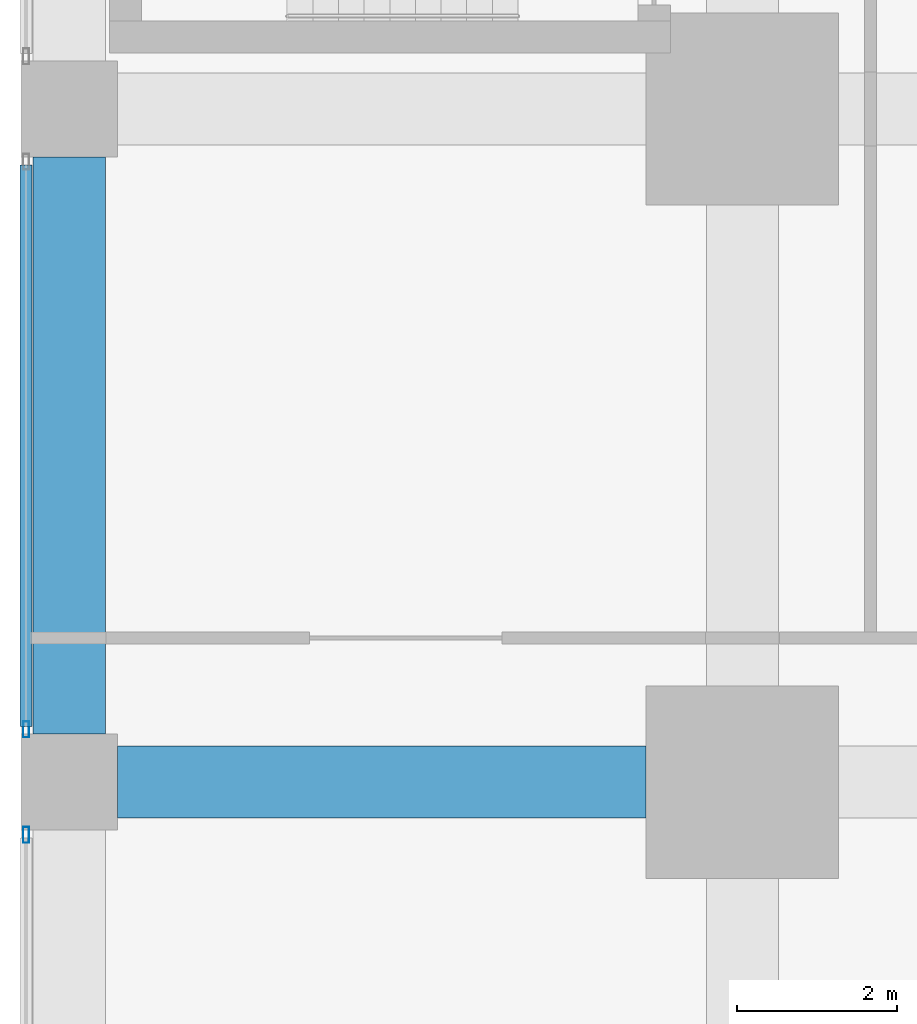
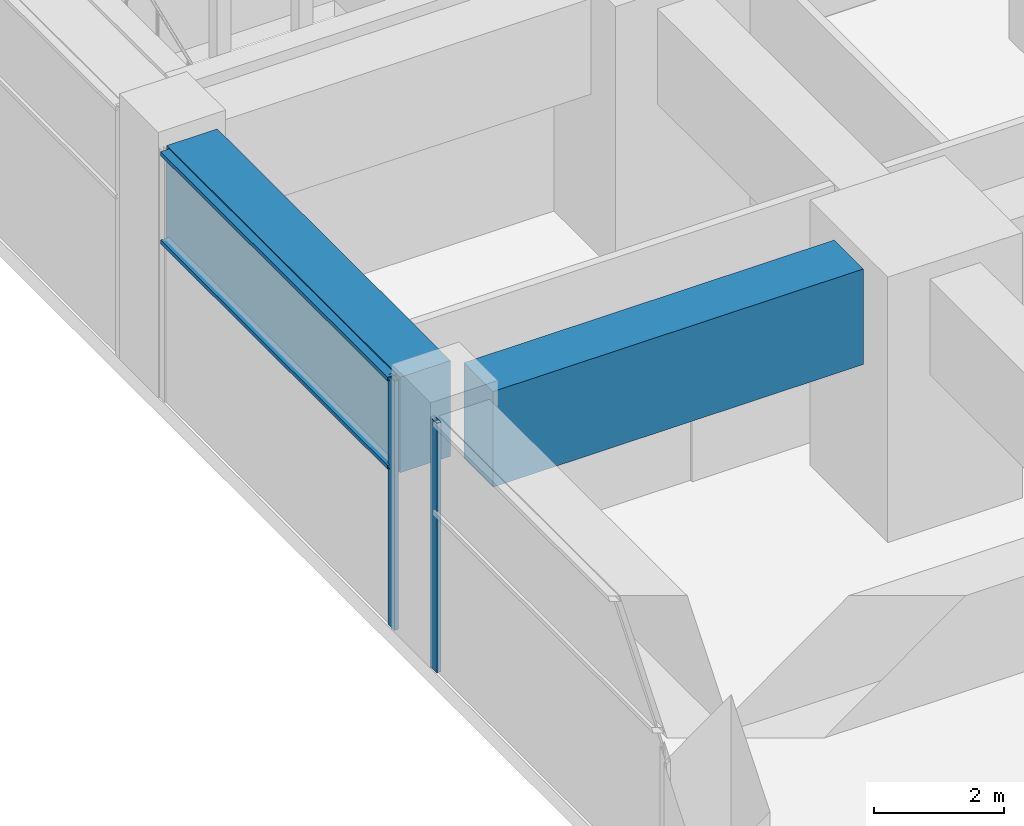
# One storey, part 9 of 49: 4 members, 2 beams, 2 elements without a shape of their own.
"""IFC4 building model written with IfcOpenShell, lengths in metres."""

from ifc_helpers import new_model, si_unit, direction, frame, origin, origin_2d, place, context, subcontext, project, spatial, rectangle, hollow_rectangle, extrude, material, material_profile, profile_set, type_object, element, aggregate, save


model = new_model("IFC4")

# Units and contexts
model_context = context("Model", 3, precision=1e-05, world=origin(), true_north=direction((0.0, 1.0)))
body_context = subcontext(model_context, "Body", "Model", "MODEL_VIEW")
ifc_project = project(units=[si_unit("LENGTHUNIT", "METRE"), si_unit("AREAUNIT", "SQUARE_METRE"), si_unit("VOLUMEUNIT", "CUBIC_METRE"), si_unit("PLANEANGLEUNIT", "RADIAN"), si_unit("MASSUNIT", "GRAM", prefix="KILO")], contexts=[model_context])

# Site, building, storey
site_placement = place(None, origin())
site = spatial("IfcSite", under=ifc_project, at=site_placement, CompositionType="ELEMENT")
building_placement = place(site_placement, origin())
building = spatial("IfcBuilding", under=site, at=building_placement, Name="Rekha Terrace Tower", CompositionType="ELEMENT")
storey_placement = place(building_placement, frame((0.0, 0.0, 10.39990234375)))
storey = spatial("IfcBuildingStorey", under=building, at=storey_placement, Name="L02", CompositionType="ELEMENT", Elevation=10.39990234375)

# Curtain wall, member
ifc_material_1 = material(Name="Aluminium framing", Category="aluminium")
curtain_wall_type = type_object("IfcCurtainWallType", Name="CW4 podium shopfront glazing", PredefinedType="USERDEFINED", material=ifc_material_1)
curtain_wall_1_placement = place(storey_placement, origin())
curtain_wall_1 = element("IfcCurtainWall", 1, at=curtain_wall_1_placement, inside=storey, type_object=curtain_wall_type, Name="CW4 shopfront curtain wall", ObjectType="SHOPFRONT CURTAIN WALL", PredefinedType="USERDEFINED")
ifc_material_2 = material(Name="Aluminium mullion section", Category="aluminium")
ifc_material_profile_1 = material_profile(ifc_material_2, hollow_rectangle(XDim=0.074951171875, YDim=0.199951171875, WallThickness=0.00390625, at=origin_2d()), Name="AL RHS 75x200")
ifc_profile_set_1 = profile_set([ifc_material_profile_1], Name="Aluminium mullion section")
member_type_1 = type_object("IfcMemberType", Name="CW4 mullion RHS 75 x 200", PredefinedType="MULLION", material=ifc_profile_set_1)
member_1_placement = place(storey_placement, frame((-0.5400390625, 17.45751953125, 0.0), z_axis=(0.0, 0.0, 1.0), x_axis=(1.0, 0.0, 0.0)))
member_1 = element("IfcMember", 2, at=member_1_placement, type_object=member_type_1, Name="CW4 mullion 2", PredefinedType="MULLION", context=body_context, shape_type="SweptSolid", body=[
    extrude(hollow_rectangle(XDim=0.074951171875, YDim=0.199951171875, WallThickness=0.00390625, at=origin_2d()), origin(), (0.0, 0.0, 1.0), 4.7001953125),
])

curtain_wall_2_placement = place(storey_placement, origin())
curtain_wall_2 = element("IfcCurtainWall", 3, at=curtain_wall_2_placement, inside=storey, type_object=curtain_wall_type, Name="CW4 shopfront curtain wall", ObjectType="SHOPFRONT CURTAIN WALL", PredefinedType="USERDEFINED")
member_2_placement = place(storey_placement, frame((-0.5400390625, 16.142578125, 0.0), z_axis=(0.0, 0.0, 1.0), x_axis=(1.0, 0.0, 0.0)))
member_2 = element("IfcMember", 4, at=member_2_placement, type_object=member_type_1, Name="CW4 mullion 1", PredefinedType="MULLION", context=body_context, shape_type="SweptSolid", body=[
    extrude(hollow_rectangle(XDim=0.074951171875, YDim=0.199951171875, WallThickness=0.00390625, at=origin_2d()), origin(), (0.0, 0.0, 1.0), 4.7001953125),
])
aggregate(curtain_wall_2, [member_2])

# Member
ifc_material_3 = material(Name="Aluminium transom section", Category="aluminium")
ifc_material_profile_2 = material_profile(ifc_material_3, hollow_rectangle(XDim=0.14990234375, YDim=0.074951171875, WallThickness=0.0029296875, at=origin_2d()), Name="AL RHS 150x75")
ifc_profile_set_2 = profile_set([ifc_material_profile_2], Name="Aluminium transom section")
member_type_2 = type_object("IfcMemberType", Name="CW4 transom RHS 75 x 150", PredefinedType="USERDEFINED", material=ifc_profile_set_2)
member_3_placement = place(storey_placement, frame((-0.5400390625, 24.5048828125, 3.0), z_axis=(0.0, -1.0, 0.0), x_axis=(1.0, 0.0, 0.0)))
member_3 = element("IfcMember", 5, at=member_3_placement, type_object=member_type_2, Name="CW4 transom 1.2", ObjectType="TRANSOM", PredefinedType="USERDEFINED", context=body_context, shape_type="SweptSolid", body=[
    extrude(hollow_rectangle(XDim=0.14990234375, YDim=0.074951171875, WallThickness=0.0029296875, at=origin_2d()), origin(), (0.0, 0.0, 1.0), 7.009765625),
])

member_4_placement = place(storey_placement, frame((-0.5400390625, 24.5048828125, 4.66259765625), z_axis=(0.0, -1.0, 0.0), x_axis=(1.0, 0.0, 0.0)))
member_4 = element("IfcMember", 6, at=member_4_placement, type_object=member_type_2, Name="CW4 transom 1.3", ObjectType="TRANSOM", PredefinedType="USERDEFINED", context=body_context, shape_type="SweptSolid", body=[
    extrude(hollow_rectangle(XDim=0.14990234375, YDim=0.074951171875, WallThickness=0.0029296875, at=origin_2d()), origin(), (0.0, 0.0, 1.0), 7.009765625),
])

aggregate(curtain_wall_1, [member_1, member_3, member_4])

# Beams
ifc_material_4 = material(Name="Concrete M60", Category="concrete")
ifc_material_profile_3 = material_profile(ifc_material_4, rectangle(XDim=0.89990234375, YDim=1.800048828125, at=origin_2d()), Name="RC 900x1800")
ifc_profile_set_3 = profile_set([ifc_material_profile_3], Name="Concrete M60")
beam_type = type_object("IfcBeamType", Name="G1 900x1800 podium floor beam", PredefinedType="BEAM", material=ifc_profile_set_3)
beam_1_placement = place(storey_placement, frame((0.60009765625, 16.800048828125, 3.800048828125), z_axis=(1.0, 0.0, 0.0), x_axis=(0.0, 1.0, 0.0)))
element("IfcBeam", 7, at=beam_1_placement, inside=storey, type_object=beam_type, Name="Beam G1 1C-2C under L03", PredefinedType="BEAM", context=body_context, shape_type="SweptSolid", body=[
    extrude(rectangle(XDim=0.89990234375, YDim=1.800048828125, at=origin_2d()), origin(), (0.0, 0.0, 1.0), 6.599853515625),
])
beam_2_placement = place(storey_placement, frame((0.0, 17.39990234375, 3.800048828125), z_axis=(0.0, 1.0, 0.0), x_axis=(-1.0, 0.0, 0.0)))
element("IfcBeam", 8, at=beam_2_placement, inside=storey, type_object=beam_type, Name="Beam G1 1C-1D under L03", PredefinedType="BEAM", context=body_context, shape_type="SweptSolid", body=[
    extrude(rectangle(XDim=0.89990234375, YDim=1.800048828125, at=origin_2d()), origin(), (0.0, 0.0, 1.0), 7.2001953125),
])

save(model, "model.ifc")
